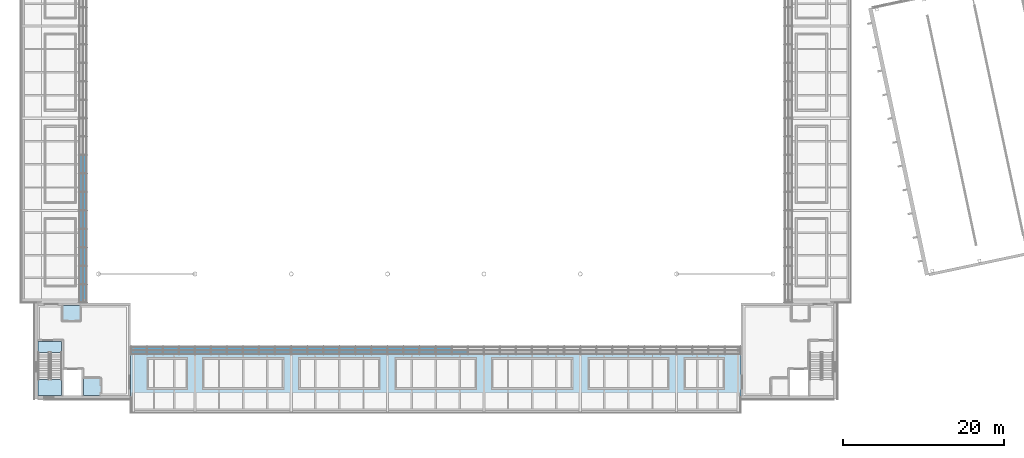
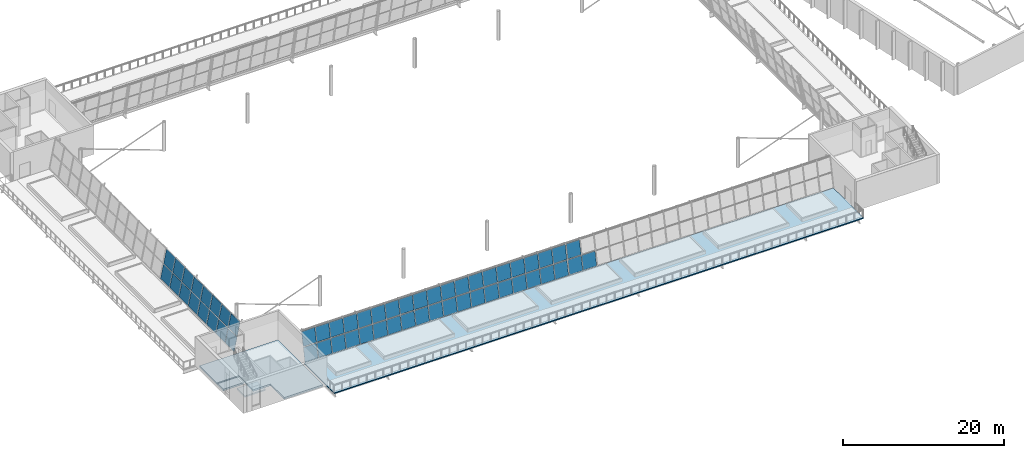
# One storey, part 25 of 58: 57 plates, 4 slabs, 4 elements without a shape of their own.
"""IFC4 building model written with IfcOpenShell, lengths in metres."""

from ifc_helpers import new_model, si_unit, direction, frame, origin, place, context, subcontext, project, spatial, polyline, outline, extrude, material, layer, layer_set, type_object, element, aggregate, save


model = new_model("IFC4")

# Units and contexts
model_context = context("Model", 3, precision=1e-05, world=origin(), true_north=direction((0.0, 1.0)))
body_context = subcontext(model_context, "Body", "Model", "MODEL_VIEW")
ifc_project = project(units=[si_unit("LENGTHUNIT", "METRE"), si_unit("AREAUNIT", "SQUARE_METRE"), si_unit("VOLUMEUNIT", "CUBIC_METRE"), si_unit("PLANEANGLEUNIT", "RADIAN"), si_unit("MASSUNIT", "GRAM", prefix="KILO")], contexts=[model_context])

# Site, building, storey
site_placement = place(None, origin())
site = spatial("IfcSite", under=ifc_project, at=site_placement, CompositionType="ELEMENT")
building_placement = place(site_placement, origin())
building = spatial("IfcBuilding", under=site, at=building_placement, Name="Windward Yard Aquatics Centre", CompositionType="ELEMENT")
storey_placement = place(building_placement, frame((0.0, 0.0, 13.800048828125)))
storey = spatial("IfcBuildingStorey", under=building, at=storey_placement, Name="L03", CompositionType="ELEMENT", Elevation=13.800048828125)

# Slabs
ifc_material_1 = material(Name="Concrete C35/45", Category="concrete")
ifc_layer_1 = layer(ifc_material_1, 0.25)
ifc_layer_set_1 = layer_set([ifc_layer_1], Name="H Core Floor Concrete C35/45 250")
slab_type_1 = type_object("IfcSlabType", Name="H Core Floor Concrete C35/45 250", PredefinedType="FLOOR", material=ifc_layer_set_1)
slab_1_placement = place(storey_placement, frame((0.0, 0.0, -0.25)))
element("IfcSlab", 1, at=slab_1_placement, inside=storey, type_object=slab_type_1, Name="L03 core floor SW", PredefinedType="FLOOR", context=body_context, shape_type="SweptSolid", body=[
    extrude(outline(polyline([(52.449951171875, 33.39990234375), (55.60009765625, 33.39990234375), (55.60009765625, 29.85009765625), (58.10009765625, 29.85009765625), (58.10009765625, 26.449951171875), (63.699951171875, 26.449951171875), (63.699951171875, 37.699951171875), (52.449951171875, 37.699951171875), (52.449951171875, 33.39990234375)])), origin(), (0.0, 0.0, 1.0), 0.25),
])
slab_2_placement = place(storey_placement, frame((0.0, 0.0, -0.25)))
element("IfcSlab", 2, at=slab_2_placement, inside=storey, type_object=slab_type_1, Name="L03 stair floor landing SW", PredefinedType="FLOOR", context=body_context, shape_type="SweptSolid", body=[
    extrude(outline(polyline([(52.449951171875, 31.800048828125), (55.39990234375, 31.800048828125), (55.39990234375, 33.199951171875), (52.449951171875, 33.199951171875), (52.449951171875, 31.800048828125)])), origin(), (0.0, 0.0, 1.0), 0.25),
])

# Stair, slab
stair_type = type_object("IfcStairType", Name="H Core Stair Concrete C35/45 1400", PredefinedType="HALF_TURN_STAIR", material=ifc_material_1)
stair_placement = place(storey_placement, origin())
stair = element("IfcStair", 3, at=stair_placement, inside=storey, type_object=stair_type, Name="L03 Stair SW", PredefinedType="HALF_TURN_STAIR")
ifc_layer_2 = layer(ifc_material_1, 0.199951171875)
ifc_layer_set_2 = layer_set([ifc_layer_2], Name="H Stair Landing Concrete C35/45 200")
slab_type_2 = type_object("IfcSlabType", Name="H Stair Landing Concrete C35/45 200", PredefinedType="LANDING", material=ifc_layer_set_2)
slab_3_placement = place(storey_placement, frame((0.0, 0.0, 2.0)))
slab_3 = element("IfcSlab", 4, at=slab_3_placement, type_object=slab_type_2, Name="ST1 landing 1", PredefinedType="LANDING", context=body_context, shape_type="SweptSolid", body=[
    extrude(outline(polyline([(52.449951171875, 26.449951171875), (55.39990234375, 26.449951171875), (55.39990234375, 28.43994140625), (52.449951171875, 28.43994140625), (52.449951171875, 26.449951171875)])), origin(), (0.0, 0.0, 1.0), 0.199951171875),
])
aggregate(stair, [slab_3])

# Slab
ifc_material_2 = material(Name="Bituminous waterproofing membrane with root barrier")
ifc_layer_3 = layer(ifc_material_2, 0.005, Name="Waterproofing and root barrier")
ifc_material_3 = material(Name="Cement screed laid to falls")
ifc_layer_4 = layer(ifc_material_3, 0.025, Name="Screed to falls")
ifc_layer_5 = layer(ifc_material_1, 0.12, Name="Structure")
ifc_layer_set_3 = layer_set([ifc_layer_3, ifc_layer_4, ifc_layer_5], Name="H terrace slab 150 C35/45")
slab_type_3 = type_object("IfcSlabType", Name="H terrace slab 150 C35/45", PredefinedType="FLOOR", material=ifc_layer_set_3)
slab_4_placement = place(storey_placement, frame((0.0, 0.0, -0.150146484375)))
element("IfcSlab", 5, at=slab_4_placement, inside=storey, type_object=slab_type_3, Name="H.T1.S", PredefinedType="FLOOR", context=body_context, shape_type="SweptSolid", body=[
    extrude(outline(polyline([(64.0, 24.209716796875), (140.0, 24.209716796875), (140.0, 31.709716796875), (64.0, 31.709716796875), (64.0, 24.209716796875)])), origin(), (0.0, 0.0, 1.0), 0.150146484375),
])

# Curtain wall, plates
ifc_material_4 = material(Name="Glass and aluminium curtain wall", Category="aluminium")
ifc_layer_6 = layer(ifc_material_4, 0.179931640625)
ifc_layer_set_4 = layer_set([ifc_layer_6], Name="H curtain wall tier 2 double glazed 6+16+6")
curtain_wall_type = type_object("IfcCurtainWallType", Name="H curtain wall tier 2 double glazed 6+16+6", PredefinedType="NOTDEFINED", material=ifc_layer_set_4)
curtain_wall_1_placement = place(storey_placement, origin())
curtain_wall_1 = element("IfcCurtainWall", 6, at=curtain_wall_1_placement, inside=storey, type_object=curtain_wall_type, Name="Tier 2 glazing S L03", PredefinedType="NOTDEFINED")
ifc_material_5 = material(Name="Low-iron glass", Category="glass")
ifc_layer_7 = layer(ifc_material_5, 0.006, Name="Outer pane")
ifc_material_6 = material(Name="Argon-filled cavity")
ifc_layer_8 = layer(ifc_material_6, 0.016, Name="Cavity")
ifc_layer_9 = layer(ifc_material_5, 0.006, Name="Inner pane")
ifc_layer_set_5 = layer_set([ifc_layer_7, ifc_layer_8, ifc_layer_9], Name="H tier 2 glass low-e double glazed unit 28")
plate_type = type_object("IfcPlateType", Name="H tier 2 glass low-e double glazed unit 28", PredefinedType="CURTAIN_PANEL", material=ifc_layer_set_5)
plate_1_placement = place(storey_placement, frame((64.06494140625, 31.617431640625, 0.107177734375), z_axis=(0.0, -0.979914212601, 0.199419497399), x_axis=(1.0, 0.0, 0.0)))
plate_1 = element("IfcPlate", 7, at=plate_1_placement, type_object=plate_type, Name="G2SA panel 1.1", PredefinedType="CURTAIN_PANEL", context=body_context, shape_type="SweptSolid", body=[
    extrude(outline(polyline([(0.0, 0.0), (1.902344, 0.0), (1.902344, 2.088582), (0.0, 2.088582), (0.0, 0.0)])), origin(), (0.0, 0.0, -1.0), 0.028076171875),
])
plate_2_placement = place(storey_placement, frame((64.06494140625, 32.053955078125, 2.251708984375), z_axis=(0.0, -0.979943605564, 0.199275010764), x_axis=(1.0, 0.0, 0.0)))
plate_2 = element("IfcPlate", 8, at=plate_2_placement, type_object=plate_type, Name="G2SA panel 1.2", PredefinedType="CURTAIN_PANEL", context=body_context, shape_type="SweptSolid", body=[
    extrude(outline(polyline([(0.0, 0.0), (1.902344, 0.0), (1.902344, 2.094997), (0.0, 2.094997), (0.0, 0.0)])), origin(), (0.0, 0.0, -1.0), 0.028076171875),
])
plate_3_placement = place(storey_placement, frame((66.0322265625, 31.617431640625, 0.107177734375), z_axis=(0.0, -0.979914212601, 0.199419497399), x_axis=(1.0, 0.0, 0.0)))
plate_3 = element("IfcPlate", 9, at=plate_3_placement, type_object=plate_type, Name="G2SA panel 2.1", PredefinedType="CURTAIN_PANEL", context=body_context, shape_type="SweptSolid", body=[
    extrude(outline(polyline([(0.0, 0.0), (1.934814, 0.0), (1.934814, 2.088582), (0.0, 2.088582), (0.0, 0.0)])), origin(), (0.0, 0.0, -1.0), 0.028076171875),
])
plate_4_placement = place(storey_placement, frame((66.0322265625, 32.053955078125, 2.251708984375), z_axis=(0.0, -0.979943605564, 0.199275010764), x_axis=(1.0, 0.0, 0.0)))
plate_4 = element("IfcPlate", 10, at=plate_4_placement, type_object=plate_type, Name="G2SA panel 2.2", PredefinedType="CURTAIN_PANEL", context=body_context, shape_type="SweptSolid", body=[
    extrude(outline(polyline([(0.0, 0.0), (1.934814, 0.0), (1.934814, 2.094997), (0.0, 2.094997), (0.0, 0.0)])), origin(), (0.0, 0.0, -1.0), 0.028076171875),
])
plate_5_placement = place(storey_placement, frame((68.031982421875, 31.617431640625, 0.107177734375), z_axis=(0.0, -0.979914212601, 0.199419497399), x_axis=(1.0, 0.0, 0.0)))
plate_5 = element("IfcPlate", 11, at=plate_5_placement, type_object=plate_type, Name="G2SA panel 3.1", PredefinedType="CURTAIN_PANEL", context=body_context, shape_type="SweptSolid", body=[
    extrude(outline(polyline([(0.0, 0.0), (1.934814, 0.0), (1.934814, 2.088582), (0.0, 2.088582), (0.0, 0.0)])), origin(), (0.0, 0.0, -1.0), 0.028076171875),
])
plate_6_placement = place(storey_placement, frame((68.031982421875, 32.053955078125, 2.251708984375), z_axis=(0.0, -0.979943605564, 0.199275010764), x_axis=(1.0, 0.0, 0.0)))
plate_6 = element("IfcPlate", 12, at=plate_6_placement, type_object=plate_type, Name="G2SA panel 3.2", PredefinedType="CURTAIN_PANEL", context=body_context, shape_type="SweptSolid", body=[
    extrude(outline(polyline([(0.0, 0.0), (1.934814, 0.0), (1.934814, 2.094997), (0.0, 2.094997), (0.0, 0.0)])), origin(), (0.0, 0.0, -1.0), 0.028076171875),
])
plate_7_placement = place(storey_placement, frame((70.03173828125, 31.617431640625, 0.107177734375), z_axis=(0.0, -0.979914212601, 0.199419497399), x_axis=(1.0, 0.0, 0.0)))
plate_7 = element("IfcPlate", 13, at=plate_7_placement, type_object=plate_type, Name="G2SA panel 4.1", PredefinedType="CURTAIN_PANEL", context=body_context, shape_type="SweptSolid", body=[
    extrude(outline(polyline([(0.0, 0.0), (1.934814, 0.0), (1.934814, 2.088582), (0.0, 2.088582), (0.0, 0.0)])), origin(), (0.0, 0.0, -1.0), 0.028076171875),
])
plate_8_placement = place(storey_placement, frame((70.03173828125, 32.053955078125, 2.251708984375), z_axis=(0.0, -0.979943605564, 0.199275010764), x_axis=(1.0, 0.0, 0.0)))
plate_8 = element("IfcPlate", 14, at=plate_8_placement, type_object=plate_type, Name="G2SA panel 4.2", PredefinedType="CURTAIN_PANEL", context=body_context, shape_type="SweptSolid", body=[
    extrude(outline(polyline([(0.0, 0.0), (1.934814, 0.0), (1.934814, 2.094997), (0.0, 2.094997), (0.0, 0.0)])), origin(), (0.0, 0.0, -1.0), 0.028076171875),
])
plate_9_placement = place(storey_placement, frame((72.031494140625, 31.617431640625, 0.107177734375), z_axis=(0.0, -0.979914212601, 0.199419497399), x_axis=(1.0, 0.0, 0.0)))
plate_9 = element("IfcPlate", 15, at=plate_9_placement, type_object=plate_type, Name="G2SA panel 5.1", PredefinedType="CURTAIN_PANEL", context=body_context, shape_type="SweptSolid", body=[
    extrude(outline(polyline([(0.0, 0.0), (1.93457, 0.0), (1.93457, 2.088582), (0.0, 2.088582), (0.0, 0.0)])), origin(), (0.0, 0.0, -1.0), 0.028076171875),
])
plate_10_placement = place(storey_placement, frame((72.031494140625, 32.053955078125, 2.251708984375), z_axis=(0.0, -0.979943605564, 0.199275010764), x_axis=(1.0, 0.0, 0.0)))
plate_10 = element("IfcPlate", 16, at=plate_10_placement, type_object=plate_type, Name="G2SA panel 5.2", PredefinedType="CURTAIN_PANEL", context=body_context, shape_type="SweptSolid", body=[
    extrude(outline(polyline([(0.0, 0.0), (1.93457, 0.0), (1.93457, 2.094997), (0.0, 2.094997), (0.0, 0.0)])), origin(), (0.0, 0.0, -1.0), 0.028076171875),
])
plate_11_placement = place(storey_placement, frame((74.03125, 31.617431640625, 0.107177734375), z_axis=(0.0, -0.979914212601, 0.199419497399), x_axis=(1.0, 0.0, 0.0)))
plate_11 = element("IfcPlate", 17, at=plate_11_placement, type_object=plate_type, Name="G2SA panel 6.1", PredefinedType="CURTAIN_PANEL", context=body_context, shape_type="SweptSolid", body=[
    extrude(outline(polyline([(0.0, 0.0), (1.93457, 0.0), (1.93457, 2.088582), (0.0, 2.088582), (0.0, 0.0)])), origin(), (0.0, 0.0, -1.0), 0.028076171875),
])
plate_12_placement = place(storey_placement, frame((74.03125, 32.053955078125, 2.251708984375), z_axis=(0.0, -0.979943605564, 0.199275010764), x_axis=(1.0, 0.0, 0.0)))
plate_12 = element("IfcPlate", 18, at=plate_12_placement, type_object=plate_type, Name="G2SA panel 6.2", PredefinedType="CURTAIN_PANEL", context=body_context, shape_type="SweptSolid", body=[
    extrude(outline(polyline([(0.0, 0.0), (1.93457, 0.0), (1.93457, 2.094997), (0.0, 2.094997), (0.0, 0.0)])), origin(), (0.0, 0.0, -1.0), 0.028076171875),
])
plate_13_placement = place(storey_placement, frame((76.031005859375, 31.617431640625, 0.107177734375), z_axis=(0.0, -0.979914212601, 0.199419497399), x_axis=(1.0, 0.0, 0.0)))
plate_13 = element("IfcPlate", 19, at=plate_13_placement, type_object=plate_type, Name="G2SA panel 7.1", PredefinedType="CURTAIN_PANEL", context=body_context, shape_type="SweptSolid", body=[
    extrude(outline(polyline([(0.0, 0.0), (1.93457, 0.0), (1.93457, 2.088582), (0.0, 2.088582), (0.0, 0.0)])), origin(), (0.0, 0.0, -1.0), 0.028076171875),
])
plate_14_placement = place(storey_placement, frame((76.031005859375, 32.053955078125, 2.251708984375), z_axis=(0.0, -0.979943605564, 0.199275010764), x_axis=(1.0, 0.0, 0.0)))
plate_14 = element("IfcPlate", 20, at=plate_14_placement, type_object=plate_type, Name="G2SA panel 7.2", PredefinedType="CURTAIN_PANEL", context=body_context, shape_type="SweptSolid", body=[
    extrude(outline(polyline([(0.0, 0.0), (1.93457, 0.0), (1.93457, 2.094997), (0.0, 2.094997), (0.0, 0.0)])), origin(), (0.0, 0.0, -1.0), 0.028076171875),
])
plate_15_placement = place(storey_placement, frame((78.03076171875, 31.617431640625, 0.107177734375), z_axis=(0.0, -0.979914212601, 0.199419497399), x_axis=(1.0, 0.0, 0.0)))
plate_15 = element("IfcPlate", 21, at=plate_15_placement, type_object=plate_type, Name="G2SA panel 8.1", PredefinedType="CURTAIN_PANEL", context=body_context, shape_type="SweptSolid", body=[
    extrude(outline(polyline([(0.0, 0.0), (1.93457, 0.0), (1.93457, 2.088582), (0.0, 2.088582), (0.0, 0.0)])), origin(), (0.0, 0.0, -1.0), 0.028076171875),
])
plate_16_placement = place(storey_placement, frame((78.03076171875, 32.053955078125, 2.251708984375), z_axis=(0.0, -0.979943605564, 0.199275010764), x_axis=(1.0, 0.0, 0.0)))
plate_16 = element("IfcPlate", 22, at=plate_16_placement, type_object=plate_type, Name="G2SA panel 8.2", PredefinedType="CURTAIN_PANEL", context=body_context, shape_type="SweptSolid", body=[
    extrude(outline(polyline([(0.0, 0.0), (1.93457, 0.0), (1.93457, 2.094997), (0.0, 2.094997), (0.0, 0.0)])), origin(), (0.0, 0.0, -1.0), 0.028076171875),
])
plate_17_placement = place(storey_placement, frame((80.0302734375, 31.617431640625, 0.107177734375), z_axis=(0.0, -0.979914212601, 0.199419497399), x_axis=(1.0, 0.0, 0.0)))
plate_17 = element("IfcPlate", 23, at=plate_17_placement, type_object=plate_type, Name="G2SA panel 9.1", PredefinedType="CURTAIN_PANEL", context=body_context, shape_type="SweptSolid", body=[
    extrude(outline(polyline([(0.0, 0.0), (1.934814, 0.0), (1.934814, 2.088582), (0.0, 2.088582), (0.0, 0.0)])), origin(), (0.0, 0.0, -1.0), 0.028076171875),
])
plate_18_placement = place(storey_placement, frame((80.0302734375, 32.053955078125, 2.251708984375), z_axis=(0.0, -0.979943605564, 0.199275010764), x_axis=(1.0, 0.0, 0.0)))
plate_18 = element("IfcPlate", 24, at=plate_18_placement, type_object=plate_type, Name="G2SA panel 9.2", PredefinedType="CURTAIN_PANEL", context=body_context, shape_type="SweptSolid", body=[
    extrude(outline(polyline([(0.0, 0.0), (1.934814, 0.0), (1.934814, 2.094997), (0.0, 2.094997), (0.0, 0.0)])), origin(), (0.0, 0.0, -1.0), 0.028076171875),
])
plate_19_placement = place(storey_placement, frame((82.030029296875, 31.617431640625, 0.107177734375), z_axis=(0.0, -0.979914212601, 0.199419497399), x_axis=(1.0, 0.0, 0.0)))
plate_19 = element("IfcPlate", 25, at=plate_19_placement, type_object=plate_type, Name="G2SA panel 10.1", PredefinedType="CURTAIN_PANEL", context=body_context, shape_type="SweptSolid", body=[
    extrude(outline(polyline([(0.0, 0.0), (1.934814, 0.0), (1.934814, 2.088582), (0.0, 2.088582), (0.0, 0.0)])), origin(), (0.0, 0.0, -1.0), 0.028076171875),
])
plate_20_placement = place(storey_placement, frame((82.030029296875, 32.053955078125, 2.251708984375), z_axis=(0.0, -0.979943605564, 0.199275010764), x_axis=(1.0, 0.0, 0.0)))
plate_20 = element("IfcPlate", 26, at=plate_20_placement, type_object=plate_type, Name="G2SA panel 10.2", PredefinedType="CURTAIN_PANEL", context=body_context, shape_type="SweptSolid", body=[
    extrude(outline(polyline([(0.0, 0.0), (1.934814, 0.0), (1.934814, 2.094997), (0.0, 2.094997), (0.0, 0.0)])), origin(), (0.0, 0.0, -1.0), 0.028076171875),
])
plate_21_placement = place(storey_placement, frame((84.02978515625, 31.617431640625, 0.107177734375), z_axis=(0.0, -0.979914212601, 0.199419497399), x_axis=(1.0, 0.0, 0.0)))
plate_21 = element("IfcPlate", 27, at=plate_21_placement, type_object=plate_type, Name="G2SA panel 11.1", PredefinedType="CURTAIN_PANEL", context=body_context, shape_type="SweptSolid", body=[
    extrude(outline(polyline([(0.0, 0.0), (1.934814, 0.0), (1.934814, 2.088582), (0.0, 2.088582), (0.0, 0.0)])), origin(), (0.0, 0.0, -1.0), 0.028076171875),
])
plate_22_placement = place(storey_placement, frame((84.02978515625, 32.053955078125, 2.251708984375), z_axis=(0.0, -0.979943605564, 0.199275010764), x_axis=(1.0, 0.0, 0.0)))
plate_22 = element("IfcPlate", 28, at=plate_22_placement, type_object=plate_type, Name="G2SA panel 11.2", PredefinedType="CURTAIN_PANEL", context=body_context, shape_type="SweptSolid", body=[
    extrude(outline(polyline([(0.0, 0.0), (1.934814, 0.0), (1.934814, 2.094997), (0.0, 2.094997), (0.0, 0.0)])), origin(), (0.0, 0.0, -1.0), 0.028076171875),
])
plate_23_placement = place(storey_placement, frame((86.029541015625, 31.617431640625, 0.107177734375), z_axis=(0.0, -0.979914212601, 0.199419497399), x_axis=(1.0, 0.0, 0.0)))
plate_23 = element("IfcPlate", 29, at=plate_23_placement, type_object=plate_type, Name="G2SA panel 12.1", PredefinedType="CURTAIN_PANEL", context=body_context, shape_type="SweptSolid", body=[
    extrude(outline(polyline([(0.0, 0.0), (1.934814, 0.0), (1.934814, 2.088582), (0.0, 2.088582), (0.0, 0.0)])), origin(), (0.0, 0.0, -1.0), 0.028076171875),
])
plate_24_placement = place(storey_placement, frame((86.029541015625, 32.053955078125, 2.251708984375), z_axis=(0.0, -0.979943605564, 0.199275010764), x_axis=(1.0, 0.0, 0.0)))
plate_24 = element("IfcPlate", 30, at=plate_24_placement, type_object=plate_type, Name="G2SA panel 12.2", PredefinedType="CURTAIN_PANEL", context=body_context, shape_type="SweptSolid", body=[
    extrude(outline(polyline([(0.0, 0.0), (1.934814, 0.0), (1.934814, 2.094997), (0.0, 2.094997), (0.0, 0.0)])), origin(), (0.0, 0.0, -1.0), 0.028076171875),
])
plate_25_placement = place(storey_placement, frame((88.029296875, 31.617431640625, 0.107177734375), z_axis=(0.0, -0.979914212601, 0.199419497399), x_axis=(1.0, 0.0, 0.0)))
plate_25 = element("IfcPlate", 31, at=plate_25_placement, type_object=plate_type, Name="G2SA panel 13.1", PredefinedType="CURTAIN_PANEL", context=body_context, shape_type="SweptSolid", body=[
    extrude(outline(polyline([(0.0, 0.0), (1.934814, 0.0), (1.934814, 2.088582), (0.0, 2.088582), (0.0, 0.0)])), origin(), (0.0, 0.0, -1.0), 0.028076171875),
])
plate_26_placement = place(storey_placement, frame((88.029296875, 32.053955078125, 2.251708984375), z_axis=(0.0, -0.979943605564, 0.199275010764), x_axis=(1.0, 0.0, 0.0)))
plate_26 = element("IfcPlate", 32, at=plate_26_placement, type_object=plate_type, Name="G2SA panel 13.2", PredefinedType="CURTAIN_PANEL", context=body_context, shape_type="SweptSolid", body=[
    extrude(outline(polyline([(0.0, 0.0), (1.934814, 0.0), (1.934814, 2.094997), (0.0, 2.094997), (0.0, 0.0)])), origin(), (0.0, 0.0, -1.0), 0.028076171875),
])
plate_27_placement = place(storey_placement, frame((90.029052734375, 31.617431640625, 0.107177734375), z_axis=(0.0, -0.979914212601, 0.199419497399), x_axis=(1.0, 0.0, 0.0)))
plate_27 = element("IfcPlate", 33, at=plate_27_placement, type_object=plate_type, Name="G2SA panel 14.1", PredefinedType="CURTAIN_PANEL", context=body_context, shape_type="SweptSolid", body=[
    extrude(outline(polyline([(0.0, 0.0), (1.934814, 0.0), (1.934814, 2.088582), (0.0, 2.088582), (0.0, 0.0)])), origin(), (0.0, 0.0, -1.0), 0.028076171875),
])
plate_28_placement = place(storey_placement, frame((90.029052734375, 32.053955078125, 2.251708984375), z_axis=(0.0, -0.979943605564, 0.199275010764), x_axis=(1.0, 0.0, 0.0)))
plate_28 = element("IfcPlate", 34, at=plate_28_placement, type_object=plate_type, Name="G2SA panel 14.2", PredefinedType="CURTAIN_PANEL", context=body_context, shape_type="SweptSolid", body=[
    extrude(outline(polyline([(0.0, 0.0), (1.934814, 0.0), (1.934814, 2.094997), (0.0, 2.094997), (0.0, 0.0)])), origin(), (0.0, 0.0, -1.0), 0.028076171875),
])
plate_29_placement = place(storey_placement, frame((92.02880859375, 31.617431640625, 0.107177734375), z_axis=(0.0, -0.979914212601, 0.199419497399), x_axis=(1.0, 0.0, 0.0)))
plate_29 = element("IfcPlate", 35, at=plate_29_placement, type_object=plate_type, Name="G2SA panel 15.1", PredefinedType="CURTAIN_PANEL", context=body_context, shape_type="SweptSolid", body=[
    extrude(outline(polyline([(0.0, 0.0), (1.934814, 0.0), (1.934814, 2.088582), (0.0, 2.088582), (0.0, 0.0)])), origin(), (0.0, 0.0, -1.0), 0.028076171875),
])
plate_30_placement = place(storey_placement, frame((92.02880859375, 32.053955078125, 2.251708984375), z_axis=(0.0, -0.979943605564, 0.199275010764), x_axis=(1.0, 0.0, 0.0)))
plate_30 = element("IfcPlate", 36, at=plate_30_placement, type_object=plate_type, Name="G2SA panel 15.2", PredefinedType="CURTAIN_PANEL", context=body_context, shape_type="SweptSolid", body=[
    extrude(outline(polyline([(0.0, 0.0), (1.934814, 0.0), (1.934814, 2.094997), (0.0, 2.094997), (0.0, 0.0)])), origin(), (0.0, 0.0, -1.0), 0.028076171875),
])
plate_31_placement = place(storey_placement, frame((94.028564453125, 31.617431640625, 0.107177734375), z_axis=(0.0, -0.979914212601, 0.199419497399), x_axis=(1.0, 0.0, 0.0)))
plate_31 = element("IfcPlate", 37, at=plate_31_placement, type_object=plate_type, Name="G2SA panel 16.1", PredefinedType="CURTAIN_PANEL", context=body_context, shape_type="SweptSolid", body=[
    extrude(outline(polyline([(0.0, 0.0), (1.934814, 0.0), (1.934814, 2.088582), (0.0, 2.088582), (0.0, 0.0)])), origin(), (0.0, 0.0, -1.0), 0.028076171875),
])
plate_32_placement = place(storey_placement, frame((94.028564453125, 32.053955078125, 2.251708984375), z_axis=(0.0, -0.979943605564, 0.199275010764), x_axis=(1.0, 0.0, 0.0)))
plate_32 = element("IfcPlate", 38, at=plate_32_placement, type_object=plate_type, Name="G2SA panel 16.2", PredefinedType="CURTAIN_PANEL", context=body_context, shape_type="SweptSolid", body=[
    extrude(outline(polyline([(0.0, 0.0), (1.934814, 0.0), (1.934814, 2.094997), (0.0, 2.094997), (0.0, 0.0)])), origin(), (0.0, 0.0, -1.0), 0.028076171875),
])
plate_33_placement = place(storey_placement, frame((96.0283203125, 31.617431640625, 0.107177734375), z_axis=(0.0, -0.979914212601, 0.199419497399), x_axis=(1.0, 0.0, 0.0)))
plate_33 = element("IfcPlate", 39, at=plate_33_placement, type_object=plate_type, Name="G2SA panel 17.1", PredefinedType="CURTAIN_PANEL", context=body_context, shape_type="SweptSolid", body=[
    extrude(outline(polyline([(0.0, 0.0), (1.934814, 0.0), (1.934814, 2.088582), (0.0, 2.088582), (0.0, 0.0)])), origin(), (0.0, 0.0, -1.0), 0.028076171875),
])
plate_34_placement = place(storey_placement, frame((96.0283203125, 32.053955078125, 2.251708984375), z_axis=(0.0, -0.979943605564, 0.199275010764), x_axis=(1.0, 0.0, 0.0)))
plate_34 = element("IfcPlate", 40, at=plate_34_placement, type_object=plate_type, Name="G2SA panel 17.2", PredefinedType="CURTAIN_PANEL", context=body_context, shape_type="SweptSolid", body=[
    extrude(outline(polyline([(0.0, 0.0), (1.934814, 0.0), (1.934814, 2.094997), (0.0, 2.094997), (0.0, 0.0)])), origin(), (0.0, 0.0, -1.0), 0.028076171875),
])
plate_35_placement = place(storey_placement, frame((98.028076171875, 31.617431640625, 0.107177734375), z_axis=(0.0, -0.979914212601, 0.199419497399), x_axis=(1.0, 0.0, 0.0)))
plate_35 = element("IfcPlate", 41, at=plate_35_placement, type_object=plate_type, Name="G2SA panel 18.1", PredefinedType="CURTAIN_PANEL", context=body_context, shape_type="SweptSolid", body=[
    extrude(outline(polyline([(0.0, 0.0), (1.93457, 0.0), (1.93457, 2.088582), (0.0, 2.088582), (0.0, 0.0)])), origin(), (0.0, 0.0, -1.0), 0.028076171875),
])
plate_36_placement = place(storey_placement, frame((98.028076171875, 32.053955078125, 2.251708984375), z_axis=(0.0, -0.979943605564, 0.199275010764), x_axis=(1.0, 0.0, 0.0)))
plate_36 = element("IfcPlate", 42, at=plate_36_placement, type_object=plate_type, Name="G2SA panel 18.2", PredefinedType="CURTAIN_PANEL", context=body_context, shape_type="SweptSolid", body=[
    extrude(outline(polyline([(0.0, 0.0), (1.93457, 0.0), (1.93457, 2.094997), (0.0, 2.094997), (0.0, 0.0)])), origin(), (0.0, 0.0, -1.0), 0.028076171875),
])
plate_37_placement = place(storey_placement, frame((100.02783203125, 31.617431640625, 0.107177734375), z_axis=(0.0, -0.979914212601, 0.199419497399), x_axis=(1.0, 0.0, 0.0)))
plate_37 = element("IfcPlate", 43, at=plate_37_placement, type_object=plate_type, Name="G2SA panel 19.1", PredefinedType="CURTAIN_PANEL", context=body_context, shape_type="SweptSolid", body=[
    extrude(outline(polyline([(0.0, 0.0), (1.9021, 0.0), (1.9021, 2.088582), (0.0, 2.088582), (0.0, 0.0)])), origin(), (0.0, 0.0, -1.0), 0.028076171875),
])
plate_38_placement = place(storey_placement, frame((100.02783203125, 32.053955078125, 2.251708984375), z_axis=(0.0, -0.979943605564, 0.199275010764), x_axis=(1.0, 0.0, 0.0)))
plate_38 = element("IfcPlate", 44, at=plate_38_placement, type_object=plate_type, Name="G2SA panel 19.2", PredefinedType="CURTAIN_PANEL", context=body_context, shape_type="SweptSolid", body=[
    extrude(outline(polyline([(0.0, 0.0), (1.9021, 0.0), (1.9021, 2.094997), (0.0, 2.094997), (0.0, 0.0)])), origin(), (0.0, 0.0, -1.0), 0.028076171875),
])
aggregate(curtain_wall_1, [plate_1, plate_2, plate_3, plate_4, plate_5, plate_6, plate_7, plate_8, plate_9, plate_10, plate_11, plate_12, plate_13, plate_14, plate_15, plate_16, plate_17, plate_18, plate_19, plate_20, plate_21, plate_22, plate_23, plate_24, plate_25, plate_26, plate_27, plate_28, plate_29, plate_30, plate_31, plate_32, plate_33, plate_34, plate_35, plate_36, plate_37, plate_38])

curtain_wall_2_placement = place(storey_placement, origin())
curtain_wall_2 = element("IfcCurtainWall", 45, at=curtain_wall_2_placement, inside=storey, type_object=curtain_wall_type, Name="Tier 2 glazing S L03", PredefinedType="NOTDEFINED")
plate_39_placement = place(storey_placement, frame((102.070068359375, 31.617431640625, 0.107177734375), z_axis=(0.0, -0.979914212601, 0.199419497399), x_axis=(1.0, 0.0, 0.0)))
plate_39 = element("IfcPlate", 46, at=plate_39_placement, type_object=plate_type, Name="G2SB panel 1.1", PredefinedType="CURTAIN_PANEL", context=body_context, shape_type="SweptSolid", body=[
    extrude(outline(polyline([(0.0, 0.0), (1.9021, 0.0), (1.9021, 2.088582), (0.0, 2.088582), (0.0, 0.0)])), origin(), (0.0, 0.0, -1.0), 0.028076171875),
])
plate_40_placement = place(storey_placement, frame((102.070068359375, 32.053955078125, 2.251708984375), z_axis=(0.0, -0.979943605564, 0.199275010764), x_axis=(1.0, 0.0, 0.0)))
plate_40 = element("IfcPlate", 47, at=plate_40_placement, type_object=plate_type, Name="G2SB panel 1.2", PredefinedType="CURTAIN_PANEL", context=body_context, shape_type="SweptSolid", body=[
    extrude(outline(polyline([(0.0, 0.0), (1.9021, 0.0), (1.9021, 2.094997), (0.0, 2.094997), (0.0, 0.0)])), origin(), (0.0, 0.0, -1.0), 0.028076171875),
])
plate_41_placement = place(storey_placement, frame((104.037353515625, 31.617431640625, 0.107177734375), z_axis=(0.0, -0.979914212601, 0.199419497399), x_axis=(1.0, 0.0, 0.0)))
plate_41 = element("IfcPlate", 48, at=plate_41_placement, type_object=plate_type, Name="G2SB panel 2.1", PredefinedType="CURTAIN_PANEL", context=body_context, shape_type="SweptSolid", body=[
    extrude(outline(polyline([(0.0, 0.0), (1.93457, 0.0), (1.93457, 2.088582), (0.0, 2.088582), (0.0, 0.0)])), origin(), (0.0, 0.0, -1.0), 0.028076171875),
])
aggregate(curtain_wall_2, [plate_39, plate_40, plate_41])

curtain_wall_3_placement = place(storey_placement, origin())
curtain_wall_3 = element("IfcCurtainWall", 49, at=curtain_wall_3_placement, inside=storey, type_object=curtain_wall_type, Name="Tier 2 glazing W L03", PredefinedType="NOTDEFINED")
plate_42_placement = place(storey_placement, frame((57.617431640625, 38.06494140625, 0.107177734375), z_axis=(-0.979914212601, 0.0, 0.199419497399), x_axis=(0.0, 1.0, 0.0)))
plate_42 = element("IfcPlate", 50, at=plate_42_placement, type_object=plate_type, Name="G2WA panel 1.1", PredefinedType="CURTAIN_PANEL", context=body_context, shape_type="SweptSolid", body=[
    extrude(outline(polyline([(0.0, 0.0), (2.202637, 0.0), (2.202637, -2.088582), (0.0, -2.088582), (0.0, 0.0)])), origin(), (0.0, 0.0, -1.0), 0.028076171875),
])
plate_43_placement = place(storey_placement, frame((58.053955078125, 38.06494140625, 2.251708984375), z_axis=(-0.979943605564, 0.0, 0.199275010764), x_axis=(0.0, 1.0, 0.0)))
plate_43 = element("IfcPlate", 51, at=plate_43_placement, type_object=plate_type, Name="G2WA panel 1.2", PredefinedType="CURTAIN_PANEL", context=body_context, shape_type="SweptSolid", body=[
    extrude(outline(polyline([(0.0, 0.0), (2.202637, 0.0), (2.202637, -2.094997), (0.0, -2.094997), (0.0, 0.0)])), origin(), (0.0, 0.0, -1.0), 0.028076171875),
])
plate_44_placement = place(storey_placement, frame((57.617431640625, 40.33251953125, 0.107177734375), z_axis=(-0.979914212601, 0.0, 0.199419497399), x_axis=(0.0, 1.0, 0.0)))
plate_44 = element("IfcPlate", 52, at=plate_44_placement, type_object=plate_type, Name="G2WA panel 2.1", PredefinedType="CURTAIN_PANEL", context=body_context, shape_type="SweptSolid", body=[
    extrude(outline(polyline([(0.0, 0.0), (2.234863, 0.0), (2.234863, -2.088582), (0.0, -2.088582), (0.0, 0.0)])), origin(), (0.0, 0.0, -1.0), 0.028076171875),
])
plate_45_placement = place(storey_placement, frame((58.053955078125, 40.33251953125, 2.251708984375), z_axis=(-0.979943605564, 0.0, 0.199275010764), x_axis=(0.0, 1.0, 0.0)))
plate_45 = element("IfcPlate", 53, at=plate_45_placement, type_object=plate_type, Name="G2WA panel 2.2", PredefinedType="CURTAIN_PANEL", context=body_context, shape_type="SweptSolid", body=[
    extrude(outline(polyline([(0.0, 0.0), (2.234863, 0.0), (2.234863, -2.094997), (0.0, -2.094997), (0.0, 0.0)])), origin(), (0.0, 0.0, -1.0), 0.028076171875),
])
plate_46_placement = place(storey_placement, frame((57.617431640625, 42.632568359375, 0.107177734375), z_axis=(-0.979914212601, 0.0, 0.199419497399), x_axis=(0.0, 1.0, 0.0)))
plate_46 = element("IfcPlate", 54, at=plate_46_placement, type_object=plate_type, Name="G2WA panel 3.1", PredefinedType="CURTAIN_PANEL", context=body_context, shape_type="SweptSolid", body=[
    extrude(outline(polyline([(0.0, 0.0), (2.234863, 0.0), (2.234863, -2.088582), (0.0, -2.088582), (0.0, 0.0)])), origin(), (0.0, 0.0, -1.0), 0.028076171875),
])
plate_47_placement = place(storey_placement, frame((58.053955078125, 42.632568359375, 2.251708984375), z_axis=(-0.979943605564, 0.0, 0.199275010764), x_axis=(0.0, 1.0, 0.0)))
plate_47 = element("IfcPlate", 55, at=plate_47_placement, type_object=plate_type, Name="G2WA panel 3.2", PredefinedType="CURTAIN_PANEL", context=body_context, shape_type="SweptSolid", body=[
    extrude(outline(polyline([(0.0, 0.0), (2.234863, 0.0), (2.234863, -2.094997), (0.0, -2.094997), (0.0, 0.0)])), origin(), (0.0, 0.0, -1.0), 0.028076171875),
])
plate_48_placement = place(storey_placement, frame((57.617431640625, 44.9326171875, 0.107177734375), z_axis=(-0.979914212601, 0.0, 0.199419497399), x_axis=(0.0, 1.0, 0.0)))
plate_48 = element("IfcPlate", 56, at=plate_48_placement, type_object=plate_type, Name="G2WA panel 4.1", PredefinedType="CURTAIN_PANEL", context=body_context, shape_type="SweptSolid", body=[
    extrude(outline(polyline([(0.0, 0.0), (2.234863, 0.0), (2.234863, -2.088582), (0.0, -2.088582), (0.0, 0.0)])), origin(), (0.0, 0.0, -1.0), 0.028076171875),
])
plate_49_placement = place(storey_placement, frame((58.053955078125, 44.9326171875, 2.251708984375), z_axis=(-0.979943605564, 0.0, 0.199275010764), x_axis=(0.0, 1.0, 0.0)))
plate_49 = element("IfcPlate", 57, at=plate_49_placement, type_object=plate_type, Name="G2WA panel 4.2", PredefinedType="CURTAIN_PANEL", context=body_context, shape_type="SweptSolid", body=[
    extrude(outline(polyline([(0.0, 0.0), (2.234863, 0.0), (2.234863, -2.094997), (0.0, -2.094997), (0.0, 0.0)])), origin(), (0.0, 0.0, -1.0), 0.028076171875),
])
plate_50_placement = place(storey_placement, frame((57.617431640625, 47.232421875, 0.107177734375), z_axis=(-0.979914212601, 0.0, 0.199419497399), x_axis=(0.0, 1.0, 0.0)))
plate_50 = element("IfcPlate", 58, at=plate_50_placement, type_object=plate_type, Name="G2WA panel 5.1", PredefinedType="CURTAIN_PANEL", context=body_context, shape_type="SweptSolid", body=[
    extrude(outline(polyline([(0.0, 0.0), (2.235107, 0.0), (2.235107, -2.088582), (0.0, -2.088582), (0.0, 0.0)])), origin(), (0.0, 0.0, -1.0), 0.028076171875),
])
plate_51_placement = place(storey_placement, frame((58.053955078125, 47.232421875, 2.251708984375), z_axis=(-0.979943605564, 0.0, 0.199275010764), x_axis=(0.0, 1.0, 0.0)))
plate_51 = element("IfcPlate", 59, at=plate_51_placement, type_object=plate_type, Name="G2WA panel 5.2", PredefinedType="CURTAIN_PANEL", context=body_context, shape_type="SweptSolid", body=[
    extrude(outline(polyline([(0.0, 0.0), (2.235107, 0.0), (2.235107, -2.094997), (0.0, -2.094997), (0.0, 0.0)])), origin(), (0.0, 0.0, -1.0), 0.028076171875),
])
plate_52_placement = place(storey_placement, frame((57.617431640625, 49.532470703125, 0.107177734375), z_axis=(-0.979914212601, 0.0, 0.199419497399), x_axis=(0.0, 1.0, 0.0)))
plate_52 = element("IfcPlate", 60, at=plate_52_placement, type_object=plate_type, Name="G2WA panel 6.1", PredefinedType="CURTAIN_PANEL", context=body_context, shape_type="SweptSolid", body=[
    extrude(outline(polyline([(0.0, 0.0), (2.235107, 0.0), (2.235107, -2.088582), (0.0, -2.088582), (0.0, 0.0)])), origin(), (0.0, 0.0, -1.0), 0.028076171875),
])
plate_53_placement = place(storey_placement, frame((58.053955078125, 49.532470703125, 2.251708984375), z_axis=(-0.979943605564, 0.0, 0.199275010764), x_axis=(0.0, 1.0, 0.0)))
plate_53 = element("IfcPlate", 61, at=plate_53_placement, type_object=plate_type, Name="G2WA panel 6.2", PredefinedType="CURTAIN_PANEL", context=body_context, shape_type="SweptSolid", body=[
    extrude(outline(polyline([(0.0, 0.0), (2.235107, 0.0), (2.235107, -2.094997), (0.0, -2.094997), (0.0, 0.0)])), origin(), (0.0, 0.0, -1.0), 0.028076171875),
])
plate_54_placement = place(storey_placement, frame((57.617431640625, 51.83251953125, 0.107177734375), z_axis=(-0.979914212601, 0.0, 0.199419497399), x_axis=(0.0, 1.0, 0.0)))
plate_54 = element("IfcPlate", 62, at=plate_54_placement, type_object=plate_type, Name="G2WA panel 7.1", PredefinedType="CURTAIN_PANEL", context=body_context, shape_type="SweptSolid", body=[
    extrude(outline(polyline([(0.0, 0.0), (2.234863, 0.0), (2.234863, -2.088582), (0.0, -2.088582), (0.0, 0.0)])), origin(), (0.0, 0.0, -1.0), 0.028076171875),
])
plate_55_placement = place(storey_placement, frame((58.053955078125, 51.83251953125, 2.251708984375), z_axis=(-0.979943605564, 0.0, 0.199275010764), x_axis=(0.0, 1.0, 0.0)))
plate_55 = element("IfcPlate", 63, at=plate_55_placement, type_object=plate_type, Name="G2WA panel 7.2", PredefinedType="CURTAIN_PANEL", context=body_context, shape_type="SweptSolid", body=[
    extrude(outline(polyline([(0.0, 0.0), (2.234863, 0.0), (2.234863, -2.094997), (0.0, -2.094997), (0.0, 0.0)])), origin(), (0.0, 0.0, -1.0), 0.028076171875),
])
plate_56_placement = place(storey_placement, frame((57.617431640625, 54.132568359375, 0.107177734375), z_axis=(-0.979914212601, 0.0, 0.199419497399), x_axis=(0.0, 1.0, 0.0)))
plate_56 = element("IfcPlate", 64, at=plate_56_placement, type_object=plate_type, Name="G2WA panel 8.1", PredefinedType="CURTAIN_PANEL", context=body_context, shape_type="SweptSolid", body=[
    extrude(outline(polyline([(0.0, 0.0), (2.234863, 0.0), (2.234863, -2.088582), (0.0, -2.088582), (0.0, 0.0)])), origin(), (0.0, 0.0, -1.0), 0.028076171875),
])
plate_57_placement = place(storey_placement, frame((58.053955078125, 54.132568359375, 2.251708984375), z_axis=(-0.979943605564, 0.0, 0.199275010764), x_axis=(0.0, 1.0, 0.0)))
plate_57 = element("IfcPlate", 65, at=plate_57_placement, type_object=plate_type, Name="G2WA panel 8.2", PredefinedType="CURTAIN_PANEL", context=body_context, shape_type="SweptSolid", body=[
    extrude(outline(polyline([(0.0, 0.0), (2.234863, 0.0), (2.234863, -2.094997), (0.0, -2.094997), (0.0, 0.0)])), origin(), (0.0, 0.0, -1.0), 0.028076171875),
])
aggregate(curtain_wall_3, [plate_42, plate_43, plate_44, plate_45, plate_46, plate_47, plate_48, plate_49, plate_50, plate_51, plate_52, plate_53, plate_54, plate_55, plate_56, plate_57])

save(model, "model.ifc")
